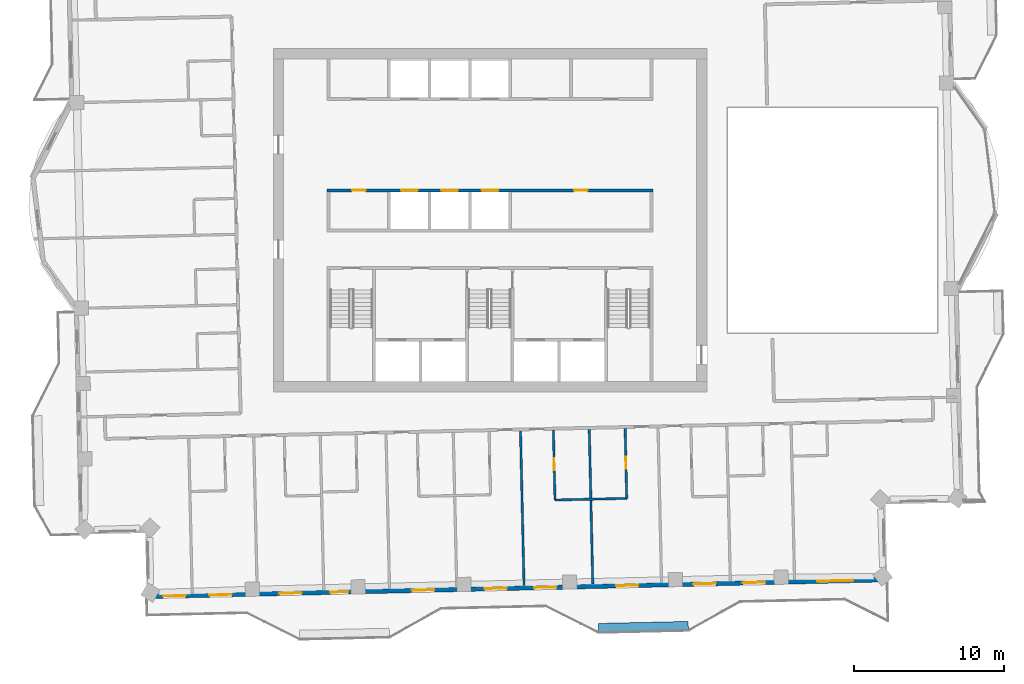
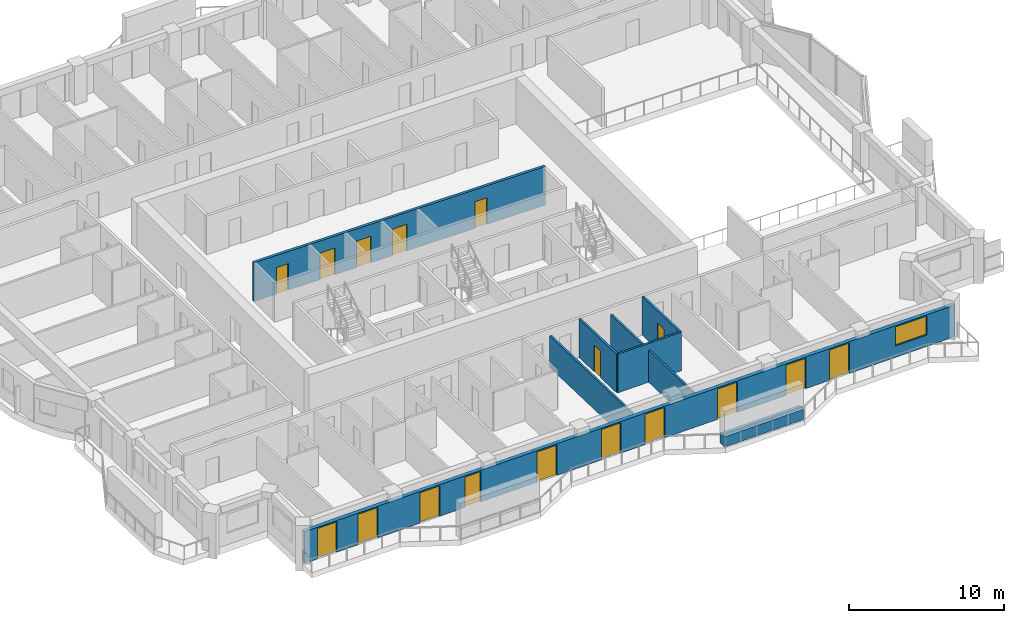
# One storey, part 8 of 18: 17 doors, 8 walls, 1 window, 18 openings.
"""IFC4 building model written with IfcOpenShell, lengths in metres."""

from ifc_helpers import new_model, si_unit, direction, frame, frame_2d, origin, place, context, subcontext, project, spatial, rectangle, extrude, material, layer, layer_set, type_object, element, fill, save


model = new_model("IFC4")

# Units and contexts
model_context = context("Model", 3, precision=1e-05, world=origin(), true_north=direction((0.0, 1.0)))
body_context = subcontext(model_context, "Body", "Model", "MODEL_VIEW")
ifc_project = project(units=[si_unit("LENGTHUNIT", "METRE"), si_unit("AREAUNIT", "SQUARE_METRE"), si_unit("VOLUMEUNIT", "CUBIC_METRE"), si_unit("PLANEANGLEUNIT", "RADIAN"), si_unit("MASSUNIT", "GRAM", prefix="KILO")], contexts=[model_context])

# Site, building, storey
site_placement = place(None, origin())
site = spatial("IfcSite", under=ifc_project, at=site_placement, CompositionType="ELEMENT")
building_placement = place(site_placement, origin())
building = spatial("IfcBuilding", under=site, at=building_placement, Name="Mangrove Gate Tower", CompositionType="ELEMENT")
storey_placement = place(building_placement, frame((0.0, 0.0, 290.699951171875)))
storey = spatial("IfcBuildingStorey", under=building, at=storey_placement, Name="L74", CompositionType="ELEMENT", Elevation=290.699951171875)

# Wall, openings, doors
ifc_material_1 = material(Name="Concrete C50/60", Category="concrete")
ifc_layer_1 = layer(ifc_material_1, 0.199951171875)
ifc_layer_set_1 = layer_set([ifc_layer_1], Name="Core shaft wall 200 C50/60")
wall_type_1 = type_object("IfcWallType", Name="Core shaft wall 200 C50/60", PredefinedType="SHEAR", material=ifc_layer_set_1)
wall_1_placement = place(storey_placement, frame((-10.89990234375, 2.0, 0.0), z_axis=(0.0, 0.0, 1.0), x_axis=(1.0, 0.0, 0.0)))
wall_1 = element("IfcWall", 1, at=wall_1_placement, inside=storey, type_object=wall_type_1, Name="WALL-L74-CORE-7", PredefinedType="SHEAR", context=body_context, shape_type="SweptSolid", body=[
    extrude(rectangle(XDim=21.7998046875, YDim=0.199951171875, at=frame_2d((10.89990234375, 0.0))), origin(), (0.0, 0.0, 1.0), 3.050048828125),
])
opening_1_placement = place(wall_1_placement, frame((4.949951171875, 0.0, 0.0)))
opening_1 = element("IfcOpeningElement", 2, at=opening_1_placement, cuts=wall_1, Name="Opening LD", PredefinedType="OPENING", context=body_context, shape_type="SweptSolid", body=[
    extrude(rectangle(XDim=1.10009765625, YDim=2.10009765625, at=frame_2d((0.550048828125, 1.050048828125))), frame((0.0, 0.10986328125, 0.0), z_axis=(0.0, -1.0, 0.0), x_axis=(1.0, 0.0, 0.0)), (0.0, 0.0, 1.0), 0.219970703125),
])
opening_2_placement = place(wall_1_placement, frame((7.64990234375, 0.0, 0.0)))
opening_2 = element("IfcOpeningElement", 3, at=opening_2_placement, cuts=wall_1, Name="Opening LD", PredefinedType="OPENING", context=body_context, shape_type="SweptSolid", body=[
    extrude(rectangle(XDim=1.10009765625, YDim=2.10009765625, at=frame_2d((0.550048828125, 1.050048828125))), frame((0.0, 0.10986328125, 0.0), z_axis=(0.0, -1.0, 0.0), x_axis=(1.0, 0.0, 0.0)), (0.0, 0.0, 1.0), 0.219970703125),
])
opening_3_placement = place(wall_1_placement, frame((10.35009765625, 0.0, 0.0)))
opening_3 = element("IfcOpeningElement", 4, at=opening_3_placement, cuts=wall_1, Name="Opening LD", PredefinedType="OPENING", context=body_context, shape_type="SweptSolid", body=[
    extrude(rectangle(XDim=1.10009765625, YDim=2.10009765625, at=frame_2d((0.550048828125, 1.050048828125))), frame((0.0, 0.10986328125, 0.0), z_axis=(0.0, -1.0, 0.0), x_axis=(1.0, 0.0, 0.0)), (0.0, 0.0, 1.0), 0.219970703125),
])
opening_4_placement = place(wall_1_placement, frame((1.675048828125, 0.0, 0.0)))
opening_4 = element("IfcOpeningElement", 5, at=opening_4_placement, cuts=wall_1, Name="Opening RD", PredefinedType="OPENING", context=body_context, shape_type="SweptSolid", body=[
    extrude(rectangle(XDim=0.89990234375, YDim=2.10009765625, at=frame_2d((0.449951171875, 1.050048828125))), frame((0.0, 0.10986328125, 0.0), z_axis=(0.0, -1.0, 0.0), x_axis=(1.0, 0.0, 0.0)), (0.0, 0.0, 1.0), 0.219970703125),
])
opening_5_placement = place(wall_1_placement, frame((16.52490234375, 0.0, 0.0)))
opening_5 = element("IfcOpeningElement", 6, at=opening_5_placement, cuts=wall_1, Name="Opening KD", PredefinedType="OPENING", context=body_context, shape_type="SweptSolid", body=[
    extrude(rectangle(XDim=0.89990234375, YDim=2.10009765625, at=frame_2d((0.449951171875, 1.050048828125))), frame((0.0, 0.10986328125, 0.0), z_axis=(0.0, -1.0, 0.0), x_axis=(1.0, 0.0, 0.0)), (0.0, 0.0, 1.0), 0.219970703125),
])
ifc_material_2 = material(Name="Fire-rated steel door set", Category="steel")
door_type_1 = type_object("IfcDoorType", Name="Core room door FD30S 900x2100", OperationType="SINGLE_SWING_RIGHT", PredefinedType="DOOR", material=ifc_material_2)
door_1_placement = place(opening_5_placement, origin())
door_1 = element("IfcDoor", 7, at=door_1_placement, inside=storey, type_object=door_type_1, Name="Core room door Linen store", OperationType="SINGLE_SWING_RIGHT", OverallHeight=2.10009765625, OverallWidth=0.89990234375, PredefinedType="DOOR", context=body_context, shape_type="SweptSolid", body=[
    extrude(rectangle(XDim=0.89990234375, YDim=2.10009765625, at=frame_2d((0.449951171875, 1.050048828125))), frame((0.0, 0.02490234375, 0.0), z_axis=(0.0, -1.0, 0.0), x_axis=(1.0, 0.0, 0.0)), (0.0, 0.0, 1.0), 0.050048828125),
])
fill(opening_5, door_1)
ifc_material_3 = material(Name="Stainless steel 316", Category="steel")
door_type_2 = type_object("IfcDoorType", Name="Lift landing door 1100x2100", OperationType="SLIDING_TO_LEFT", PredefinedType="DOOR", material=ifc_material_3)
door_2_placement = place(opening_1_placement, origin())
door_2 = element("IfcDoor", 8, at=door_2_placement, inside=storey, type_object=door_type_2, Name="Landing door LD H01", OperationType="SLIDING_TO_LEFT", OverallHeight=2.10009765625, OverallWidth=1.10009765625, PredefinedType="DOOR", context=body_context, shape_type="SweptSolid", body=[
    extrude(rectangle(XDim=1.10009765625, YDim=2.10009765625, at=frame_2d((0.550048828125, 1.050048828125))), frame((0.0, 0.02490234375, 0.0), z_axis=(0.0, -1.0, 0.0), x_axis=(1.0, 0.0, 0.0)), (0.0, 0.0, 1.0), 0.050048828125),
])
fill(opening_1, door_2)
door_3_placement = place(opening_2_placement, origin())
door_3 = element("IfcDoor", 9, at=door_3_placement, inside=storey, type_object=door_type_2, Name="Landing door LD H02", OperationType="SLIDING_TO_LEFT", OverallHeight=2.10009765625, OverallWidth=1.10009765625, PredefinedType="DOOR", context=body_context, shape_type="SweptSolid", body=[
    extrude(rectangle(XDim=1.10009765625, YDim=2.10009765625, at=frame_2d((0.550048828125, 1.050048828125))), frame((0.0, 0.02490234375, 0.0), z_axis=(0.0, -1.0, 0.0), x_axis=(1.0, 0.0, 0.0)), (0.0, 0.0, 1.0), 0.050048828125),
])
fill(opening_2, door_3)
door_4_placement = place(opening_3_placement, origin())
door_4 = element("IfcDoor", 10, at=door_4_placement, inside=storey, type_object=door_type_2, Name="Landing door LD H03", OperationType="SLIDING_TO_LEFT", OverallHeight=2.10009765625, OverallWidth=1.10009765625, PredefinedType="DOOR", context=body_context, shape_type="SweptSolid", body=[
    extrude(rectangle(XDim=1.10009765625, YDim=2.10009765625, at=frame_2d((0.550048828125, 1.050048828125))), frame((0.0, 0.02490234375, 0.0), z_axis=(0.0, -1.0, 0.0), x_axis=(1.0, 0.0, 0.0)), (0.0, 0.0, 1.0), 0.050048828125),
])
fill(opening_3, door_4)
ifc_material_4 = material(Name="Fire-rated steel door set", Category="steel")
door_type_3 = type_object("IfcDoorType", Name="Riser door FD30S 900x2100", OperationType="SINGLE_SWING_LEFT", PredefinedType="DOOR", material=ifc_material_4)
door_5_placement = place(opening_4_placement, origin())
door_5 = element("IfcDoor", 11, at=door_5_placement, inside=storey, type_object=door_type_3, Name="Riser door Electrical room", OperationType="SINGLE_SWING_LEFT", OverallHeight=2.10009765625, OverallWidth=0.89990234375, PredefinedType="DOOR", context=body_context, shape_type="SweptSolid", body=[
    extrude(rectangle(XDim=0.89990234375, YDim=2.10009765625, at=frame_2d((0.449951171875, 1.050048828125))), frame((0.0, 0.02490234375, 0.0), z_axis=(0.0, -1.0, 0.0), x_axis=(1.0, 0.0, 0.0)), (0.0, 0.0, 1.0), 0.050048828125),
])
fill(opening_4, door_5)

# Wall, openings, doors, window
ifc_material_5 = material(Name="Limestone", Category="masonry")
ifc_layer_2 = layer(ifc_material_5, 0.0400390625, Name="Limestone cladding")
ifc_material_6 = material(Name="Ventilated air gap")
ifc_layer_3 = layer(ifc_material_6, 0.0400390625, Name="Ventilated cavity")
ifc_material_7 = material(Name="Mineral wool insulation")
ifc_layer_4 = layer(ifc_material_7, 0.06005859375, Name="Insulation")
ifc_material_8 = material(Name="Breather membrane")
ifc_layer_5 = layer(ifc_material_8, 0.001953125, Name="Breather membrane")
ifc_material_9 = material(Name="Concrete C20/25 blockwork", Category="masonry")
ifc_layer_6 = layer(ifc_material_9, 0.14990234375, Name="Blockwork backing wall")
ifc_material_10 = material(Name="Gypsum plaster")
ifc_layer_7 = layer(ifc_material_10, 0.008056640625, Name="Internal plaster")
ifc_layer_set_2 = layer_set([ifc_layer_2, ifc_layer_3, ifc_layer_4, ifc_layer_5, ifc_layer_6, ifc_layer_7], Name="External wall 300 limestone cladding")
wall_type_2 = type_object("IfcWallType", Name="External wall 300 limestone cladding", PredefinedType="SOLIDWALL", material=ifc_layer_set_2)
wall_2_placement = place(storey_placement, frame((-22.81591796875, -25.160888671875, 0.0), z_axis=(0.0, 0.0, 1.0), x_axis=(0.999742646411, 0.022685699159, 0.0)))
wall_2 = element("IfcWall", 12, at=wall_2_placement, inside=storey, type_object=wall_type_2, Name="WALL-L74-S13", PredefinedType="SOLIDWALL", context=body_context, shape_type="SweptSolid", body=[
    extrude(rectangle(XDim=49.235595703125, YDim=0.300048828125, at=frame_2d((24.61767578125, 0.0))), origin(), (0.0, 0.0, 1.0), 2.5),
])
opening_6_placement = place(wall_2_placement, frame((0.952880859375, 0.0, 0.0)))
opening_6 = element("IfcOpeningElement", 13, at=opening_6_placement, cuts=wall_2, Name="Opening BD1", PredefinedType="OPENING", context=body_context, shape_type="SweptSolid", body=[
    extrude(rectangle(XDim=1.5, YDim=2.39990234375, at=frame_2d((0.75, 1.199951171875))), frame((0.0, 0.159912109375, 0.0), z_axis=(0.0, -1.0, 0.0), x_axis=(1.0, 0.0, 0.0)), (0.0, 0.0, 1.0), 0.320068359375),
])
opening_7_placement = place(wall_2_placement, frame((4.051025390625, 0.0, 0.0)))
opening_7 = element("IfcOpeningElement", 14, at=opening_7_placement, cuts=wall_2, Name="Opening BD1", PredefinedType="OPENING", context=body_context, shape_type="SweptSolid", body=[
    extrude(rectangle(XDim=1.5, YDim=2.39990234375, at=frame_2d((0.75, 1.199951171875))), frame((0.0, 0.159912109375, 0.0), z_axis=(0.0, -1.0, 0.0), x_axis=(1.0, 0.0, 0.0)), (0.0, 0.0, 1.0), 0.320068359375),
])
opening_8_placement = place(wall_2_placement, frame((8.72509765625, 0.0, 0.0)))
opening_8 = element("IfcOpeningElement", 15, at=opening_8_placement, cuts=wall_2, Name="Opening BD1", PredefinedType="OPENING", context=body_context, shape_type="SweptSolid", body=[
    extrude(rectangle(XDim=1.5, YDim=2.39990234375, at=frame_2d((0.75, 1.199951171875))), frame((0.0, 0.159912109375, 0.0), z_axis=(0.0, -1.0, 0.0), x_axis=(1.0, 0.0, 0.0)), (0.0, 0.0, 1.0), 0.320068359375),
])
opening_9_placement = place(wall_2_placement, frame((12.138916015625, 0.0, 0.0)))
opening_9 = element("IfcOpeningElement", 16, at=opening_9_placement, cuts=wall_2, Name="Opening BD2", PredefinedType="OPENING", context=body_context, shape_type="SweptSolid", body=[
    extrude(rectangle(XDim=1.199951171875, YDim=2.39990234375, at=frame_2d((0.60009765625, 1.199951171875))), frame((0.0, 0.159912109375, 0.0), z_axis=(0.0, -1.0, 0.0), x_axis=(1.0, 0.0, 0.0)), (0.0, 0.0, 1.0), 0.320068359375),
])
opening_10_placement = place(wall_2_placement, frame((17.60009765625, 0.0, 0.0)))
opening_10 = element("IfcOpeningElement", 17, at=opening_10_placement, cuts=wall_2, Name="Opening BD1", PredefinedType="OPENING", context=body_context, shape_type="SweptSolid", body=[
    extrude(rectangle(XDim=1.5, YDim=2.39990234375, at=frame_2d((0.75, 1.199951171875))), frame((0.0, 0.159912109375, 0.0), z_axis=(0.0, -1.0, 0.0), x_axis=(1.0, 0.0, 0.0)), (0.0, 0.0, 1.0), 0.320068359375),
])
opening_11_placement = place(wall_2_placement, frame((22.452880859375, 0.0, 0.0)))
opening_11 = element("IfcOpeningElement", 18, at=opening_11_placement, cuts=wall_2, Name="Opening BD1", PredefinedType="OPENING", context=body_context, shape_type="SweptSolid", body=[
    extrude(rectangle(XDim=1.5, YDim=2.39990234375, at=frame_2d((0.75, 1.199951171875))), frame((0.0, 0.159912109375, 0.0), z_axis=(0.0, -1.0, 0.0), x_axis=(1.0, 0.0, 0.0)), (0.0, 0.0, 1.0), 0.320068359375),
])
opening_12_placement = place(wall_2_placement, frame((25.764892578125, 0.0, 0.0)))
opening_12 = element("IfcOpeningElement", 19, at=opening_12_placement, cuts=wall_2, Name="Opening BD1", PredefinedType="OPENING", context=body_context, shape_type="SweptSolid", body=[
    extrude(rectangle(XDim=1.5, YDim=2.39990234375, at=frame_2d((0.75, 1.199951171875))), frame((0.0, 0.159912109375, 0.0), z_axis=(0.0, -1.0, 0.0), x_axis=(1.0, 0.0, 0.0)), (0.0, 0.0, 1.0), 0.320068359375),
])
opening_13_placement = place(wall_2_placement, frame((31.25, 0.0, 0.0)))
opening_13 = element("IfcOpeningElement", 20, at=opening_13_placement, cuts=wall_2, Name="Opening BD1", PredefinedType="OPENING", context=body_context, shape_type="SweptSolid", body=[
    extrude(rectangle(XDim=1.5, YDim=2.39990234375, at=frame_2d((0.75, 1.199951171875))), frame((0.0, 0.159912109375, 0.0), z_axis=(0.0, -1.0, 0.0), x_axis=(1.0, 0.0, 0.0)), (0.0, 0.0, 1.0), 0.320068359375),
])
opening_14_placement = place(wall_2_placement, frame((36.428955078125, 0.0, 0.0)))
opening_14 = element("IfcOpeningElement", 21, at=opening_14_placement, cuts=wall_2, Name="Opening BD1", PredefinedType="OPENING", context=body_context, shape_type="SweptSolid", body=[
    extrude(rectangle(XDim=1.5, YDim=2.39990234375, at=frame_2d((0.75, 1.199951171875))), frame((0.0, 0.159912109375, 0.0), z_axis=(0.0, -1.0, 0.0), x_axis=(1.0, 0.0, 0.0)), (0.0, 0.0, 1.0), 0.320068359375),
])
opening_15_placement = place(wall_2_placement, frame((39.741943359375, 0.0, 0.0)))
opening_15 = element("IfcOpeningElement", 22, at=opening_15_placement, cuts=wall_2, Name="Opening BD1", PredefinedType="OPENING", context=body_context, shape_type="SweptSolid", body=[
    extrude(rectangle(XDim=1.5, YDim=2.39990234375, at=frame_2d((0.75, 1.199951171875))), frame((0.0, 0.159912109375, 0.0), z_axis=(0.0, -1.0, 0.0), x_axis=(1.0, 0.0, 0.0)), (0.0, 0.0, 1.0), 0.320068359375),
])
opening_16_placement = place(wall_2_placement, frame((44.719970703125, 0.0, 0.89990234375)))
opening_16 = element("IfcOpeningElement", 23, at=opening_16_placement, cuts=wall_2, Name="Opening W2", PredefinedType="OPENING", context=body_context, shape_type="SweptSolid", body=[
    extrude(rectangle(XDim=2.39990234375, YDim=1.5, at=frame_2d((1.199951171875, 0.75))), frame((0.0, 0.159912109375, 0.0), z_axis=(0.0, -1.0, 0.0), x_axis=(1.0, 0.0, 0.0)), (0.0, 0.0, 1.0), 0.320068359375),
])
ifc_material_11 = material(Name="Aluminium frame with laminated clear glass", Category="aluminium")
door_type_4 = type_object("IfcDoorType", Name="Balcony sliding door 1200x2400", OperationType="SLIDING_TO_LEFT", PredefinedType="DOOR", material=ifc_material_11)
door_6_placement = place(opening_9_placement, origin())
door_6 = element("IfcDoor", 24, at=door_6_placement, inside=storey, type_object=door_type_4, Name="DOOR-L74-S13-4", OperationType="SLIDING_TO_LEFT", OverallHeight=2.39990234375, OverallWidth=1.199951171875, PredefinedType="DOOR", context=body_context, shape_type="SweptSolid", body=[
    extrude(rectangle(XDim=1.199951171875, YDim=2.39990234375, at=frame_2d((0.60009765625, 1.199951171875))), frame((0.0, 0.02490234375, 0.0), z_axis=(0.0, -1.0, 0.0), x_axis=(1.0, 0.0, 0.0)), (0.0, 0.0, 1.0), 0.050048828125),
])
fill(opening_9, door_6)
ifc_material_12 = material(Name="Aluminium frame with laminated clear glass", Category="aluminium")
door_type_5 = type_object("IfcDoorType", Name="Balcony sliding door 1500x2400", OperationType="SLIDING_TO_LEFT", PredefinedType="DOOR", material=ifc_material_12)
door_7_placement = place(opening_6_placement, origin())
door_7 = element("IfcDoor", 25, at=door_7_placement, inside=storey, type_object=door_type_5, Name="DOOR-L74-S13-1", OperationType="SLIDING_TO_LEFT", OverallHeight=2.39990234375, OverallWidth=1.5, PredefinedType="DOOR", context=body_context, shape_type="SweptSolid", body=[
    extrude(rectangle(XDim=1.5, YDim=2.39990234375, at=frame_2d((0.75, 1.199951171875))), frame((0.0, 0.02490234375, 0.0), z_axis=(0.0, -1.0, 0.0), x_axis=(1.0, 0.0, 0.0)), (0.0, 0.0, 1.0), 0.050048828125),
])
fill(opening_6, door_7)
door_8_placement = place(opening_7_placement, origin())
door_8 = element("IfcDoor", 26, at=door_8_placement, inside=storey, type_object=door_type_5, Name="DOOR-L74-S13-2", OperationType="SLIDING_TO_LEFT", OverallHeight=2.39990234375, OverallWidth=1.5, PredefinedType="DOOR", context=body_context, shape_type="SweptSolid", body=[
    extrude(rectangle(XDim=1.5, YDim=2.39990234375, at=frame_2d((0.75, 1.199951171875))), frame((0.0, 0.02490234375, 0.0), z_axis=(0.0, -1.0, 0.0), x_axis=(1.0, 0.0, 0.0)), (0.0, 0.0, 1.0), 0.050048828125),
])
fill(opening_7, door_8)
door_9_placement = place(opening_8_placement, origin())
door_9 = element("IfcDoor", 27, at=door_9_placement, inside=storey, type_object=door_type_5, Name="DOOR-L74-S13-3", OperationType="SLIDING_TO_LEFT", OverallHeight=2.39990234375, OverallWidth=1.5, PredefinedType="DOOR", context=body_context, shape_type="SweptSolid", body=[
    extrude(rectangle(XDim=1.5, YDim=2.39990234375, at=frame_2d((0.75, 1.199951171875))), frame((0.0, 0.02490234375, 0.0), z_axis=(0.0, -1.0, 0.0), x_axis=(1.0, 0.0, 0.0)), (0.0, 0.0, 1.0), 0.050048828125),
])
fill(opening_8, door_9)
door_10_placement = place(opening_10_placement, origin())
door_10 = element("IfcDoor", 28, at=door_10_placement, inside=storey, type_object=door_type_5, Name="DOOR-L74-S13-5", OperationType="SLIDING_TO_LEFT", OverallHeight=2.39990234375, OverallWidth=1.5, PredefinedType="DOOR", context=body_context, shape_type="SweptSolid", body=[
    extrude(rectangle(XDim=1.5, YDim=2.39990234375, at=frame_2d((0.75, 1.199951171875))), frame((0.0, 0.02490234375, 0.0), z_axis=(0.0, -1.0, 0.0), x_axis=(1.0, 0.0, 0.0)), (0.0, 0.0, 1.0), 0.050048828125),
])
fill(opening_10, door_10)
door_11_placement = place(opening_11_placement, origin())
door_11 = element("IfcDoor", 29, at=door_11_placement, inside=storey, type_object=door_type_5, Name="DOOR-L74-S13-6", OperationType="SLIDING_TO_LEFT", OverallHeight=2.39990234375, OverallWidth=1.5, PredefinedType="DOOR", context=body_context, shape_type="SweptSolid", body=[
    extrude(rectangle(XDim=1.5, YDim=2.39990234375, at=frame_2d((0.75, 1.199951171875))), frame((0.0, 0.02490234375, 0.0), z_axis=(0.0, -1.0, 0.0), x_axis=(1.0, 0.0, 0.0)), (0.0, 0.0, 1.0), 0.050048828125),
])
fill(opening_11, door_11)
door_12_placement = place(opening_12_placement, origin())
door_12 = element("IfcDoor", 30, at=door_12_placement, inside=storey, type_object=door_type_5, Name="DOOR-L74-S13-7", OperationType="SLIDING_TO_LEFT", OverallHeight=2.39990234375, OverallWidth=1.5, PredefinedType="DOOR", context=body_context, shape_type="SweptSolid", body=[
    extrude(rectangle(XDim=1.5, YDim=2.39990234375, at=frame_2d((0.75, 1.199951171875))), frame((0.0, 0.02490234375, 0.0), z_axis=(0.0, -1.0, 0.0), x_axis=(1.0, 0.0, 0.0)), (0.0, 0.0, 1.0), 0.050048828125),
])
fill(opening_12, door_12)
door_13_placement = place(opening_13_placement, origin())
door_13 = element("IfcDoor", 31, at=door_13_placement, inside=storey, type_object=door_type_5, Name="DOOR-L74-S13-8", OperationType="SLIDING_TO_LEFT", OverallHeight=2.39990234375, OverallWidth=1.5, PredefinedType="DOOR", context=body_context, shape_type="SweptSolid", body=[
    extrude(rectangle(XDim=1.5, YDim=2.39990234375, at=frame_2d((0.75, 1.199951171875))), frame((0.0, 0.02490234375, 0.0), z_axis=(0.0, -1.0, 0.0), x_axis=(1.0, 0.0, 0.0)), (0.0, 0.0, 1.0), 0.050048828125),
])
fill(opening_13, door_13)
door_14_placement = place(opening_14_placement, origin())
door_14 = element("IfcDoor", 32, at=door_14_placement, inside=storey, type_object=door_type_5, Name="DOOR-L74-S13-9", OperationType="SLIDING_TO_LEFT", OverallHeight=2.39990234375, OverallWidth=1.5, PredefinedType="DOOR", context=body_context, shape_type="SweptSolid", body=[
    extrude(rectangle(XDim=1.5, YDim=2.39990234375, at=frame_2d((0.75, 1.199951171875))), frame((0.0, 0.02490234375, 0.0), z_axis=(0.0, -1.0, 0.0), x_axis=(1.0, 0.0, 0.0)), (0.0, 0.0, 1.0), 0.050048828125),
])
fill(opening_14, door_14)
door_15_placement = place(opening_15_placement, origin())
door_15 = element("IfcDoor", 33, at=door_15_placement, inside=storey, type_object=door_type_5, Name="DOOR-L74-S13-10", OperationType="SLIDING_TO_LEFT", OverallHeight=2.39990234375, OverallWidth=1.5, PredefinedType="DOOR", context=body_context, shape_type="SweptSolid", body=[
    extrude(rectangle(XDim=1.5, YDim=2.39990234375, at=frame_2d((0.75, 1.199951171875))), frame((0.0, 0.02490234375, 0.0), z_axis=(0.0, -1.0, 0.0), x_axis=(1.0, 0.0, 0.0)), (0.0, 0.0, 1.0), 0.050048828125),
])
fill(opening_15, door_15)
ifc_material_13 = material(Name="Aluminium frame with double-glazed low-e glass", Category="aluminium")
window_type = type_object("IfcWindowType", Name="Corner room window 2400x1500", PartitioningType="DOUBLE_PANEL_VERTICAL", PredefinedType="WINDOW", material=ifc_material_13)
window_placement = place(opening_16_placement, origin())
window = element("IfcWindow", 34, at=window_placement, inside=storey, type_object=window_type, Name="WIN-L74-S13-11", OverallHeight=1.5, OverallWidth=2.39990234375, PartitioningType="DOUBLE_PANEL_VERTICAL", PredefinedType="WINDOW", context=body_context, shape_type="SweptSolid", body=[
    extrude(rectangle(XDim=2.39990234375, YDim=1.5, at=frame_2d((1.199951171875, 0.75))), frame((0.0, 0.030029296875, 0.0), z_axis=(0.0, -1.0, 0.0), x_axis=(1.0, 0.0, 0.0)), (0.0, 0.0, 1.0), 0.06005859375),
])
fill(opening_16, window)

# Walls
ifc_material_14 = material(Name="Gypsum board on steel stud, EI 60", Category="steel")
ifc_layer_8 = layer(ifc_material_14, 0.14990234375)
ifc_layer_set_3 = layer_set([ifc_layer_8], Name="Party wall 150 EI 60")
wall_type_3 = type_object("IfcWallType", Name="Party wall 150 EI 60", PredefinedType="PARTITIONING", material=ifc_layer_set_3)
wall_3_placement = place(storey_placement, frame((2.27197265625, -24.44189453125, 0.0), z_axis=(0.0, 0.0, 1.0), x_axis=(-0.022690865001, 0.999742529177, 0.0)))
element("IfcWall", 35, at=wall_3_placement, inside=storey, type_object=wall_type_3, Name="WALL-L74-006", PredefinedType="PARTITIONING", context=body_context, shape_type="SweptSolid", body=[
    extrude(rectangle(XDim=10.3505859375, YDim=0.14990234375, at=frame_2d((5.17529296875, 0.0))), origin(), (0.0, 0.0, 1.0), 2.5),
])
wall_4_placement = place(storey_placement, frame((6.87109375, -24.3369140625, 0.0), z_axis=(0.0, 0.0, 1.0), x_axis=(-0.022716582742, 0.999741945138, 0.0)))
element("IfcWall", 36, at=wall_4_placement, inside=storey, type_object=wall_type_3, Name="WALL-L74-007", PredefinedType="PARTITIONING", context=body_context, shape_type="SweptSolid", body=[
    extrude(rectangle(XDim=10.349609375, YDim=0.14990234375, at=frame_2d((5.1748046875, 0.0))), origin(), (0.0, 0.0, 1.0), 2.5),
])

# Wall, opening, door
wall_5_placement = place(storey_placement, frame((4.343017578125, -18.712890625, 0.0), z_axis=(0.0, 0.0, 1.0), x_axis=(-0.022688155425, 0.999742590672, 0.0)))
wall_5 = element("IfcWall", 37, at=wall_5_placement, inside=storey, type_object=wall_type_3, Name="WALL-L74-011", PredefinedType="PARTITIONING", context=body_context, shape_type="SweptSolid", body=[
    extrude(rectangle(XDim=4.670166015625, YDim=0.14990234375, at=frame_2d((2.3349609375, 0.0))), origin(), (0.0, 0.0, 1.0), 3.050048828125),
])
opening_17_placement = place(wall_5_placement, frame((1.985107421875, 0.0, 0.0)))
opening_17 = element("IfcOpeningElement", 38, at=opening_17_placement, cuts=wall_5, Name="Opening ED", PredefinedType="OPENING", context=body_context, shape_type="SweptSolid", body=[
    extrude(rectangle(XDim=0.800048828125, YDim=2.10009765625, at=frame_2d((0.39990234375, 1.050048828125))), frame((0.0, 0.0849609375, 0.0), z_axis=(0.0, -1.0, 0.0), x_axis=(1.0, 0.0, 0.0)), (0.0, 0.0, 1.0), 0.169921875),
])
ifc_material_15 = material(Name="Timber door leaf", Category="wood")
door_type_6 = type_object("IfcDoorType", Name="En-suite door 800", OperationType="SINGLE_SWING_LEFT", PredefinedType="DOOR", material=ifc_material_15)
door_16_placement = place(opening_17_placement, origin())
door_16 = element("IfcDoor", 39, at=door_16_placement, inside=storey, type_object=door_type_6, Name="DOOR-L74-ENS-c206", OperationType="SINGLE_SWING_RIGHT", OverallHeight=2.10009765625, OverallWidth=0.800048828125, PredefinedType="DOOR", context=body_context, shape_type="SweptSolid", body=[
    extrude(rectangle(XDim=0.800048828125, YDim=2.10009765625, at=frame_2d((0.39990234375, 1.050048828125))), frame((0.0, 0.02490234375, 0.0), z_axis=(0.0, -1.0, 0.0), x_axis=(1.0, 0.0, 0.0)), (0.0, 0.0, 1.0), 0.050048828125),
])
fill(opening_17, door_16)

# Wall
wall_6_placement = place(storey_placement, frame((4.344970703125, -18.712890625, 0.0), z_axis=(0.0, 0.0, 1.0), x_axis=(0.999742596585, 0.02268789488, 0.0)))
element("IfcWall", 40, at=wall_6_placement, inside=storey, type_object=wall_type_3, Name="WALL-L74-012", PredefinedType="PARTITIONING", context=body_context, shape_type="SweptSolid", body=[
    extrude(rectangle(XDim=4.79931640625, YDim=0.14990234375, at=frame_2d((2.399658203125, 0.0))), origin(), (0.0, 0.0, 1.0), 3.050048828125),
])

# Wall, opening, door
wall_7_placement = place(storey_placement, frame((9.14111328125, -18.60400390625, 0.0), z_axis=(0.0, 0.0, 1.0), x_axis=(-0.022531404752, 0.999746135676, 0.0)))
wall_7 = element("IfcWall", 41, at=wall_7_placement, inside=storey, type_object=wall_type_3, Name="WALL-L74-013", PredefinedType="PARTITIONING", context=body_context, shape_type="SweptSolid", body=[
    extrude(rectangle(XDim=4.670166015625, YDim=0.14990234375, at=frame_2d((2.3349609375, 0.0))), origin(), (0.0, 0.0, 1.0), 3.050048828125),
])
opening_18_placement = place(wall_7_placement, frame((1.985107421875, 0.0, 0.0)))
opening_18 = element("IfcOpeningElement", 42, at=opening_18_placement, cuts=wall_7, Name="Opening ED", PredefinedType="OPENING", context=body_context, shape_type="SweptSolid", body=[
    extrude(rectangle(XDim=0.800048828125, YDim=2.10009765625, at=frame_2d((0.39990234375, 1.050048828125))), frame((0.0, 0.0849609375, 0.0), z_axis=(0.0, -1.0, 0.0), x_axis=(1.0, 0.0, 0.0)), (0.0, 0.0, 1.0), 0.169921875),
])
door_17_placement = place(opening_18_placement, origin())
door_17 = element("IfcDoor", 43, at=door_17_placement, inside=storey, type_object=door_type_6, Name="DOOR-L74-ENS-c207", OperationType="SINGLE_SWING_LEFT", OverallHeight=2.10009765625, OverallWidth=0.800048828125, PredefinedType="DOOR", context=body_context, shape_type="SweptSolid", body=[
    extrude(rectangle(XDim=0.800048828125, YDim=2.10009765625, at=frame_2d((0.39990234375, 1.050048828125))), frame((0.0, 0.02490234375, 0.0), z_axis=(0.0, -1.0, 0.0), x_axis=(1.0, 0.0, 0.0)), (0.0, 0.0, 1.0), 0.050048828125),
])
fill(opening_18, door_17)

# Wall
ifc_material_16 = material(Name="Concrete C32/40", Category="concrete")
ifc_layer_9 = layer(ifc_material_16, 0.199951171875, Name="Planter trough wall")
ifc_material_17 = material(Name="Bituminous waterproofing membrane")
ifc_layer_10 = layer(ifc_material_17, 0.0048828125, Name="Waterproofing")
ifc_material_18 = material(Name="Drainage board and gravel")
ifc_layer_11 = layer(ifc_material_18, 0.044921875, Name="Drainage layer")
ifc_material_19 = material(Name="Planting soil")
ifc_layer_12 = layer(ifc_material_19, 0.300048828125, Name="Growing medium")
ifc_layer_set_4 = layer_set([ifc_layer_9, ifc_layer_10, ifc_layer_11, ifc_layer_12], Name="Planter wall 550 C32/40")
wall_type_4 = type_object("IfcWallType", Name="Planter wall 550 C32/40", PredefinedType="USERDEFINED", material=ifc_layer_set_4)
wall_8_placement = place(storey_placement, frame((7.257080078125, -27.243896484375, 0.0), z_axis=(0.0, 0.0, 1.0), x_axis=(0.999743178102, 0.022662255828, 0.0)))
element("IfcWall", 44, at=wall_8_placement, inside=storey, type_object=wall_type_4, Name="PLANTER L74 S1.1", ObjectType="PLANTER", PredefinedType="USERDEFINED", context=body_context, shape_type="SweptSolid", body=[
    extrude(rectangle(XDim=6.00048828125, YDim=0.550048828125, at=frame_2d((3.000244140625, 0.0))), origin(), (0.0, 0.0, 1.0), 0.800048828125),
])

save(model, "model.ifc")
